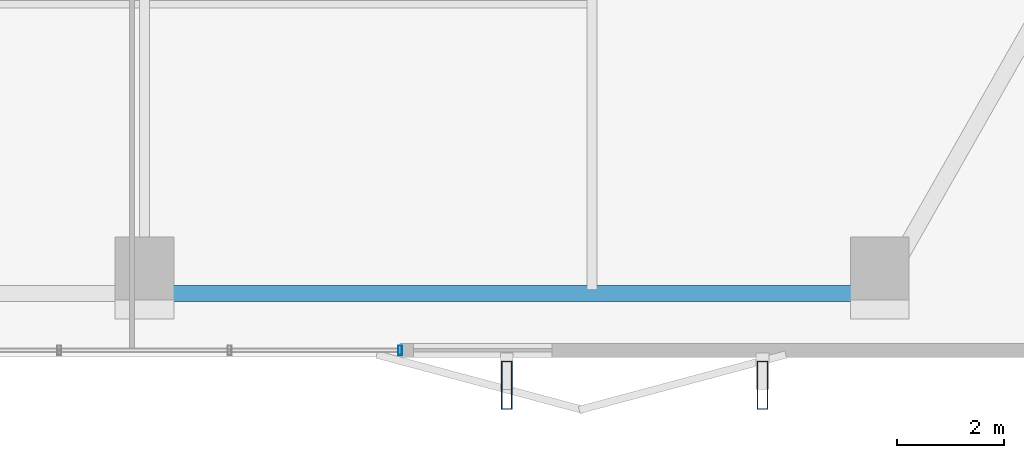
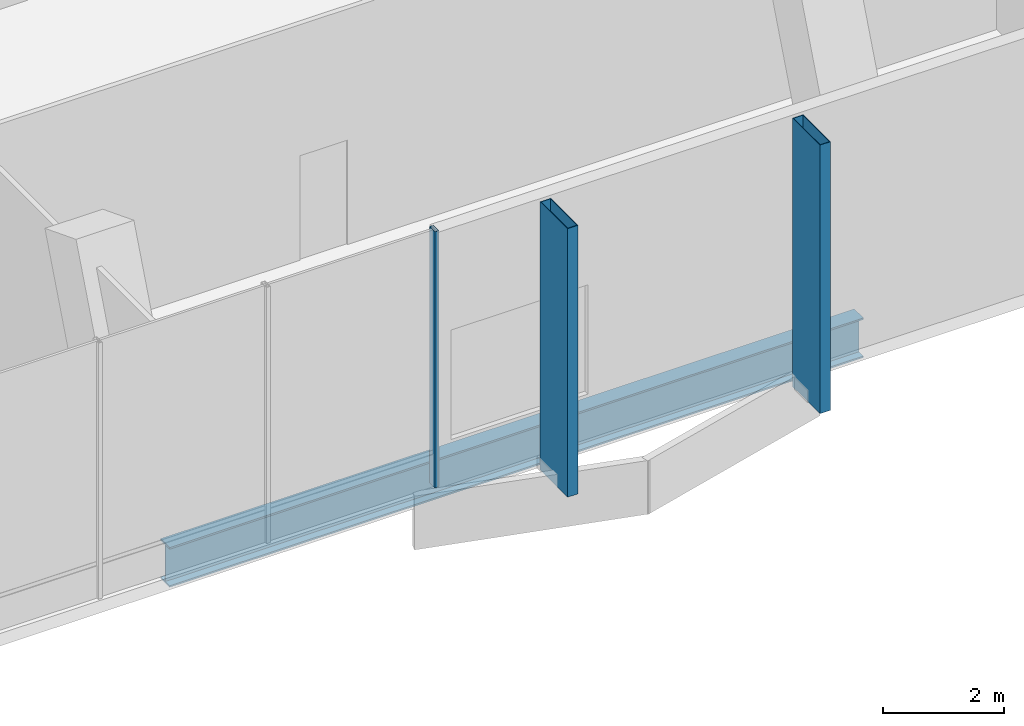
# One storey, part 11 of 33: 3 members, 1 beam, 1 element without a shape of its own.
"""IFC4 building model written with IfcOpenShell, lengths in metres."""

from ifc_helpers import new_model, si_unit, direction, frame, origin, origin_2d, place, context, subcontext, project, spatial, hollow_rectangle, i_section, extrude, material, layer, layer_set, material_profile, profile_set, type_object, element, aggregate, save


model = new_model("IFC4")

# Units and contexts
model_context = context("Model", 3, precision=1e-05, world=origin(), true_north=direction((0.0, 1.0)))
body_context = subcontext(model_context, "Body", "Model", "MODEL_VIEW")
ifc_project = project(units=[si_unit("LENGTHUNIT", "METRE"), si_unit("AREAUNIT", "SQUARE_METRE"), si_unit("VOLUMEUNIT", "CUBIC_METRE"), si_unit("PLANEANGLEUNIT", "RADIAN"), si_unit("MASSUNIT", "GRAM", prefix="KILO")], contexts=[model_context])

# Site, building, storey
site_placement = place(None, origin())
site = spatial("IfcSite", under=ifc_project, at=site_placement, CompositionType="ELEMENT")
building_placement = place(site_placement, origin())
building = spatial("IfcBuilding", under=site, at=building_placement, Name="Belovzor Exchange Tower", CompositionType="ELEMENT")
storey_placement = place(building_placement, frame((0.0, 0.0, 241.199951171875)))
storey = spatial("IfcBuildingStorey", under=building, at=storey_placement, Name="L60", CompositionType="ELEMENT", Elevation=241.199951171875)

# Beam
ifc_material_1 = material(Name="Steel S355", Category="steel")
ifc_material_profile_1 = material_profile(ifc_material_1, i_section(OverallWidth=0.300048828125, OverallDepth=0.800048828125, WebThickness=0.017578125, FlangeThickness=0.032958984375, at=origin_2d()))
ifc_profile_set_1 = profile_set([ifc_material_profile_1], Name="Steel S355")
beam_type = type_object("IfcBeamType", Name="Sky-Lobby Primary Girder HEB 800", PredefinedType="BEAM", material=ifc_profile_set_1)
beam_placement = place(storey_placement, frame((29.10205078125, 3.0, -0.64990234375), z_axis=(1.0, 0.0, 0.0), x_axis=(0.0, 1.0, 0.0)))
element("IfcBeam", 1, at=beam_placement, inside=storey, type_object=beam_type, Name="SG-1 Sky-Lobby Primary Girder HEB 800", PredefinedType="BEAM", context=body_context, shape_type="SweptSolid", body=[
    extrude(i_section(OverallWidth=0.300048828125, OverallDepth=0.800048828125, WebThickness=0.017578125, FlangeThickness=0.032958984375, at=origin_2d()), origin(), (0.0, 0.0, 1.0), 13.195068359375),
])

# Members
ifc_material_2 = material(Name="Extruded Architectural Terracotta on Steel S355 Carrier", Category="masonry")
ifc_material_profile_2 = material_profile(ifc_material_2, hollow_rectangle(XDim=0.199951171875, YDim=0.89990234375, WallThickness=0.011962890625, at=origin_2d()))
ifc_profile_set_2 = profile_set([ifc_material_profile_2], Name="Extruded Architectural Terracotta on Steel S355 Carrier")
member_type_1 = type_object("IfcMemberType", Name="Sweeping Terracotta Baguette Fin Assembly 950", PredefinedType="USERDEFINED", material=ifc_profile_set_2)
for number, where, z_axis, x_axis, name in (
    (2, (35.60009765625, 1.27490234375, -0.25), (0.0, 0.0, 1.0), (1.0, 0.0, 0.0), "FIN-TC095 Terracotta Facade Fin L60 S3"),
    (3, (40.39990234375, 1.27490234375, -0.25), (0.0, 0.0, 1.0), (1.0, 0.0, 0.0), "FIN-TC095 Terracotta Facade Fin L60 S4"),
):
    element("IfcMember", number, at=place(storey_placement, frame(where, z_axis=z_axis, x_axis=x_axis)), inside=storey, type_object=member_type_1, Name=name, ObjectType="FIN", PredefinedType="USERDEFINED", context=body_context, shape_type="SweptSolid", body=[
        extrude(hollow_rectangle(XDim=0.199951171875, YDim=0.89990234375, WallThickness=0.011962890625, at=origin_2d()), origin(), (0.0, 0.0, 1.0), 5.400146484375),
    ])

# Curtain wall, member
ifc_material_3 = material(Name="Anodised Aluminium Framing", Category="aluminium")
ifc_layer = layer(ifc_material_3, 0.239990234375)
ifc_layer_set = layer_set([ifc_layer], Name="Anodised Aluminium Framing")
curtain_wall_type = type_object("IfcCurtainWallType", Name="Sky-Lobby Double-Skin Acoustic Curtain Wall", PredefinedType="NOTDEFINED", material=ifc_layer_set)
curtain_wall_placement = place(storey_placement, origin())
curtain_wall = element("IfcCurtainWall", 4, at=curtain_wall_placement, inside=storey, type_object=curtain_wall_type, Name="CW4 Sky-Lobby Double-Skin Acoustic Curtain Wall L60", PredefinedType="NOTDEFINED")
ifc_material_4 = material(Name="Steel S355", Category="steel")
ifc_material_profile_3 = material_profile(ifc_material_4, hollow_rectangle(XDim=0.074951171875, YDim=0.179931640625, WallThickness=0.0048828125, at=origin_2d()))
ifc_profile_set_3 = profile_set([ifc_material_profile_3], Name="Steel S355")
member_type_2 = type_object("IfcMemberType", Name="Thermally Broken Curtain Wall Mullion 180x75", PredefinedType="MULLION", material=ifc_profile_set_3)
member_placement = place(storey_placement, frame((33.60009765625, 1.929931640625, 0.0), z_axis=(0.0, 0.0, 1.0), x_axis=(-1.0, 0.0, 0.0)))
member = element("IfcMember", 5, at=member_placement, type_object=member_type_2, Name="CW-M180 Curtain Wall Mullion 1", PredefinedType="MULLION", context=body_context, shape_type="SweptSolid", body=[
    extrude(hollow_rectangle(XDim=0.074951171875, YDim=0.179931640625, WallThickness=0.0048828125, at=origin_2d()), origin(), (0.0, 0.0, 1.0), 5.150146484375),
])
aggregate(curtain_wall, [member])

save(model, "model.ifc")
